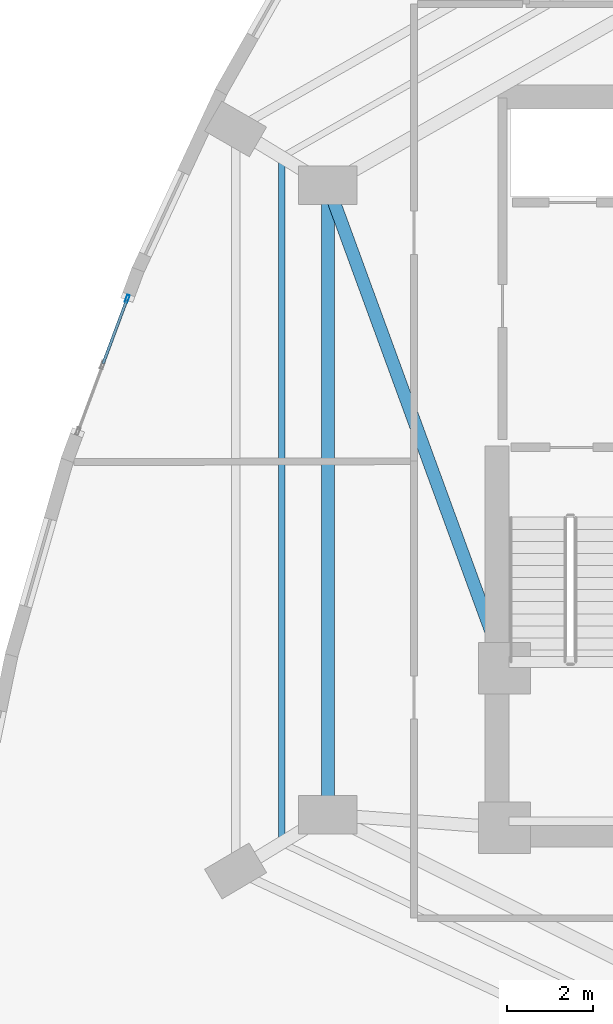
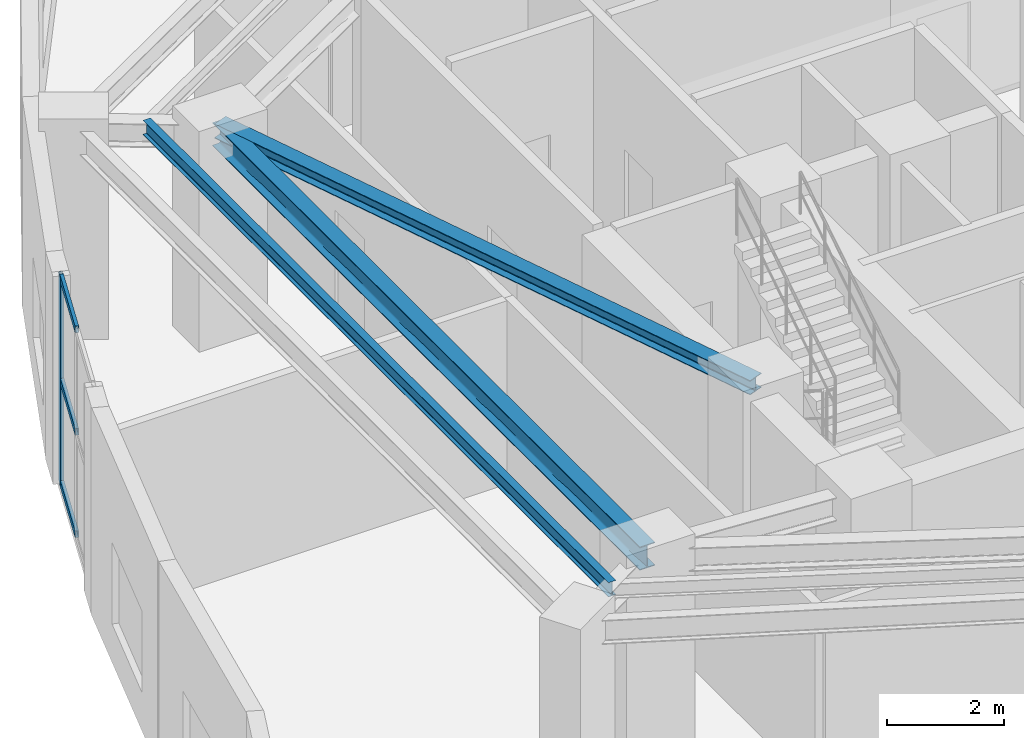
# One storey, part 7 of 17: 4 members, 3 beams, 1 element without a shape of its own.
"""IFC4 building model written with IfcOpenShell, lengths in metres."""

import ifcopenshell
import ifcopenshell.guid

model = None  # the IFC model being written
_history = None  # IfcOwnerHistory: only IFC2X3 demands one
_inside = {}  # id of a spatial element -> (the spatial element, [elements in it])
_under = {}  # id of a project, library or spatial element -> (it, [spatial elements below it])
_declared = {}  # id of a project -> (the project, [libraries it declares])
_typed = {}  # id of a type object -> (the type object, [elements of that type])
_made_of = {}  # id of a material, layer set ... -> (it, [elements and type objects made of it])


def new_model(schema):
    """Start an empty IFC model of exactly this schema.

    Asked for "IFC4X3", IfcOpenShell would pick the latest addendum, in which some entities
    have other attributes; the version numbers below select the first issue.
    IFC2X3 requires an IfcOwnerHistory on every rooted entity: one is made here for all.
    """
    global model, _history
    if schema == "IFC4X3":
        model = ifcopenshell.file(schema_version=(4, 3, 0, 0))
    else:
        model = ifcopenshell.file(schema=schema)
    _inside.clear()
    _under.clear()
    _declared.clear()
    _typed.clear()
    _made_of.clear()
    _history = None
    if model.schema == "IFC2X3":
        org = make("IfcOrganization", Name="unknown")
        user = make(
            "IfcPersonAndOrganization",
            ThePerson=make("IfcPerson", FamilyName="unknown"),
            TheOrganization=org,
        )
        app = make(
            "IfcApplication",
            ApplicationDeveloper=org,
            Version="unknown",
            ApplicationFullName="unknown",
            ApplicationIdentifier="unknown",
        )
        _history = make(
            "IfcOwnerHistory",
            OwningUser=user,
            OwningApplication=app,
            ChangeAction="ADDED",
            CreationDate=0,
        )
    return model


def make(cls, **values):
    """One entity of the class cls with the attributes given. An attribute that is None is left unset."""
    return model.create_entity(
        cls, **{name: value for name, value in values.items() if value is not None}
    )


def rooted(cls, **values):
    """An entity with a GlobalId (a new one), such as an element, a storey or a relation."""
    return make(cls, GlobalId=ifcopenshell.guid.new(), OwnerHistory=_history, **values)


def si_unit(unit_type, name, prefix=None):
    """IfcSIUnit, for example si_unit("LENGTHUNIT", "METRE", prefix="MILLI")."""
    return make("IfcSIUnit", UnitType=unit_type, Prefix=prefix, Name=name)


def assignment(units):
    """IfcUnitAssignment: the units of a project."""
    return None if units is None else make("IfcUnitAssignment", Units=units)


def point(xyz):
    """IfcCartesianPoint."""
    return None if xyz is None else make("IfcCartesianPoint", Coordinates=xyz)


def direction(xyz):
    """IfcDirection."""
    return None if xyz is None else make("IfcDirection", DirectionRatios=xyz)


def frame(location, z_axis=None, x_axis=None):
    """IfcAxis2Placement3D, a coordinate frame: its origin and axes. An axis left out is left unset."""
    return make(
        "IfcAxis2Placement3D",
        Location=point(location),
        Axis=direction(z_axis),
        RefDirection=direction(x_axis),
    )


def frame_2d(location, x_axis=None):
    """IfcAxis2Placement2D, a coordinate frame in the plane: its origin and x axis."""
    return make(
        "IfcAxis2Placement2D", Location=point(location), RefDirection=direction(x_axis)
    )


def origin():
    """The frame at (0, 0, 0) with its axes left unset."""
    return frame((0.0, 0.0, 0.0))


def origin_2d():
    """The frame at (0, 0) in the plane with its x axis left unset."""
    return frame_2d((0.0, 0.0))


def place(relative_to, where):
    """IfcLocalPlacement: puts the frame where relative to a parent placement (None: the world)."""
    return make(
        "IfcLocalPlacement", PlacementRelTo=relative_to, RelativePlacement=where
    )


def context(
    kind, dimensions, precision=None, world=None, true_north=None, identifier=None
):
    """IfcGeometricRepresentationContext, for example the 3D "Model" context."""
    return make(
        "IfcGeometricRepresentationContext",
        ContextIdentifier=identifier,
        ContextType=kind,
        CoordinateSpaceDimension=dimensions,
        Precision=precision,
        WorldCoordinateSystem=world,
        TrueNorth=true_north,
    )


def subcontext(parent, identifier, kind, view, scale=None):
    """IfcGeometricRepresentationSubContext, for example "Body" below "Model"."""
    return make(
        "IfcGeometricRepresentationSubContext",
        ContextIdentifier=identifier,
        ContextType=kind,
        ParentContext=parent,
        TargetScale=scale,
        TargetView=view,
    )


def project(units=None, contexts=None):
    """IfcProject with its units and contexts."""
    return rooted(
        "IfcProject",
        Name="project",
        RepresentationContexts=contexts,
        UnitsInContext=assignment(units),
    )


def spatial(cls, under=None, at=None, **own):
    """A site, building, storey or space (cls), placed at a placement, below another one or the project."""
    s = rooted(cls, ObjectPlacement=at, **own)
    if under is not None:
        _under.setdefault(under.id(), (under, []))[1].append(s)
    return s


def profile(cls, at=None, kind="AREA", **sizes):
    """A parametric profile (cls). Its sizes go by their IFC names, for example OverallWidth=200.0."""
    return make(cls, ProfileType=kind, Position=at, **sizes)


def hollow_rectangle(**sizes):
    """IfcRectangleHollowProfileDef."""
    return profile("IfcRectangleHollowProfileDef", **sizes)


def i_section(**sizes):
    """IfcIShapeProfileDef."""
    return profile("IfcIShapeProfileDef", **sizes)


def extrude(swept, where, along, depth):
    """IfcExtrudedAreaSolid: the profile swept, set in the frame where, extruded along a direction by depth."""
    return make(
        "IfcExtrudedAreaSolid",
        SweptArea=swept,
        Position=where,
        ExtrudedDirection=direction(along),
        Depth=depth,
    )


def shape(context_of_items, identifier, shape_type, items):
    """IfcShapeRepresentation: the items that make up one representation, for example the "Body"."""
    return make(
        "IfcShapeRepresentation",
        ContextOfItems=context_of_items,
        RepresentationIdentifier=identifier,
        RepresentationType=shape_type,
        Items=items,
    )


def material(Name=None, Category=None):
    """IfcMaterial."""
    return make("IfcMaterial", Name=Name, Category=Category)


def layer(
    of_material, thickness, ventilated=None, Name=None, Category=None, Priority=None
):
    """IfcMaterialLayer: one layer of a wall or slab, of a material (None: an air gap)."""
    return make(
        "IfcMaterialLayer",
        Material=of_material,
        LayerThickness=thickness,
        IsVentilated=ventilated,
        Name=Name,
        Category=Category,
        Priority=Priority,
    )


def layer_set(layers, Name=None):
    """IfcMaterialLayerSet."""
    return make("IfcMaterialLayerSet", MaterialLayers=layers, LayerSetName=Name)


def material_profile(
    of_material, cross_section, Name=None, Category=None, Priority=None
):
    """IfcMaterialProfile: a cross section and its material."""
    return make(
        "IfcMaterialProfile",
        Name=Name,
        Material=of_material,
        Profile=cross_section,
        Priority=Priority,
        Category=Category,
    )


def profile_set(profiles, Name=None, composite=None):
    """IfcMaterialProfileSet."""
    return make(
        "IfcMaterialProfileSet",
        Name=Name,
        MaterialProfiles=profiles,
        CompositeProfile=composite,
    )


def made_of(thing, what):
    """Note that an element or type object is made of a material, layer set ...; save() writes the relation."""
    if what is not None:
        _made_of.setdefault(what.id(), (what, []))[1].append(thing)
    return thing


def type_object(cls, material=None, **own):
    """A type object (cls), such as IfcWallType, which elements share."""
    return made_of(rooted(cls, **own), material)


def element(
    cls,
    number,
    at=None,
    inside=None,
    cuts=None,
    type_object=None,
    material=None,
    context=None,
    identifier="Body",
    shape_type=None,
    held_by="IfcProductDefinitionShape",
    body=None,
    shapes=None,
    **own,
):
    """One element of the class cls, such as IfcWall. Its Tag is "e" and its number.

    at: its placement. inside: the storey or other place that contains it. cuts: it is an
    opening in that element (IfcRelVoidsElement). A single representation is given by context,
    identifier, shape_type and body (its items); several are given by shapes. held_by: the class
    of the entity that holds the representations. save() writes the other relations.
    """
    e = rooted(cls, Tag="e%d" % number, ObjectPlacement=at, **own)
    if body is not None:
        shapes = [shape(context, identifier, shape_type, body)]
    if shapes is not None:
        e.Representation = make(held_by, Representations=shapes)
    if inside is not None:
        _inside.setdefault(inside.id(), (inside, []))[1].append(e)
    if cuts is not None:
        rooted(
            "IfcRelVoidsElement", RelatingBuildingElement=cuts, RelatedOpeningElement=e
        )
    if type_object is not None:
        _typed.setdefault(type_object.id(), (type_object, []))[1].append(e)
    return made_of(e, material)


def aggregate(whole, parts):
    """IfcRelAggregates: a whole, such as a stair, and the parts it consists of."""
    return rooted("IfcRelAggregates", RelatingObject=whole, RelatedObjects=parts)


def save(model, path):
    """Write the relations noted so far, then the file.

    IfcRelAggregates (storeys below a building ...), IfcRelContainedInSpatialStructure (elements
    in a storey), IfcRelDefinesByType, IfcRelAssociatesMaterial and IfcRelDeclares: one each for
    every whole, place, type object, material and project.
    """
    for whole, parts in _under.values():
        aggregate(whole, parts)
    for where, things in _inside.values():
        rooted(
            "IfcRelContainedInSpatialStructure",
            RelatedElements=things,
            RelatingStructure=where,
        )
    for kind, things in _typed.values():
        rooted("IfcRelDefinesByType", RelatedObjects=things, RelatingType=kind)
    for what, things in _made_of.values():
        rooted("IfcRelAssociatesMaterial", RelatedObjects=things, RelatingMaterial=what)
    for by, libraries in _declared.values():
        rooted("IfcRelDeclares", RelatingContext=by, RelatedDefinitions=libraries)
    model.write(path)


model = new_model("IFC4")

# Units and contexts
model_context = context("Model", 3, precision=1e-05, world=origin(), true_north=direction((0.0, 1.0)))
body_context = subcontext(model_context, "Body", "Model", "MODEL_VIEW")
ifc_project = project(units=[si_unit("LENGTHUNIT", "METRE"), si_unit("AREAUNIT", "SQUARE_METRE"), si_unit("VOLUMEUNIT", "CUBIC_METRE"), si_unit("PLANEANGLEUNIT", "RADIAN"), si_unit("MASSUNIT", "GRAM", prefix="KILO")], contexts=[model_context])

# Site, building, storey
site_placement = place(None, origin())
site = spatial("IfcSite", under=ifc_project, at=site_placement, CompositionType="ELEMENT")
building_placement = place(site_placement, origin())
building = spatial("IfcBuilding", under=site, at=building_placement, Name="Miruveldt Soraemaru", CompositionType="ELEMENT")
storey_placement = place(building_placement, frame((0.0, 0.0, 95.800048828125)))
storey = spatial("IfcBuildingStorey", under=building, at=storey_placement, Name="L26", CompositionType="ELEMENT", Elevation=95.800048828125)

# Beams
ifc_material_1 = material(Name="Steel SM355 (355 MPa)", Category="steel")
ifc_material_profile_1 = material_profile(ifc_material_1, i_section(OverallWidth=0.300048828125, OverallDepth=0.300048828125, WebThickness=0.010009765625, FlangeThickness=0.014892578125, FilletRadius=0.01806640625, at=origin_2d()), Name="Steel SM355 (355 MPa)", Category="steel")
ifc_profile_set_1 = profile_set([ifc_material_profile_1], Name="Steel SM355 (355 MPa)")
beam_type_1 = type_object("IfcBeamType", Name="BM-LNT-H300", PredefinedType="LINTEL", material=ifc_profile_set_1)
beam_1_placement = place(storey_placement, frame((31.39990234375, 50.39990234375, 4.18505859375), z_axis=(0.343770424598, -0.939053723262, 0.0), x_axis=(0.939053723262, 0.343770424598, 0.0)))
element("IfcBeam", 1, at=beam_1_placement, inside=storey, type_object=beam_type_1, Name="L26 West Lobby Lintel", PredefinedType="LINTEL", context=body_context, shape_type="SweptSolid", body=[
    extrude(i_section(OverallWidth=0.300048828125, OverallDepth=0.300048828125, WebThickness=0.010009765625, FlangeThickness=0.014892578125, FilletRadius=0.01806640625, at=origin_2d()), origin(), (0.0, 0.0, 1.0), 11.9267578125),
])
ifc_material_profile_2 = material_profile(ifc_material_1, i_section(OverallWidth=0.14990234375, OverallDepth=0.300048828125, WebThickness=0.006591796875, FlangeThickness=0.009033203125, FilletRadius=0.012939453125, at=origin_2d()), Name="Steel SM355 (355 MPa)", Category="steel")
ifc_profile_set_2 = profile_set([ifc_material_profile_2], Name="Steel SM355 (355 MPa)")
beam_type_2 = type_object("IfcBeamType", Name="BM-ST-H300", PredefinedType="JOIST", material=ifc_profile_set_2)
beam_2_placement = place(storey_placement, frame((30.330078125, 35.1474609375, 4.18505859375), z_axis=(0.0, 1.0, 0.0), x_axis=(-1.0, 0.0, 0.0)))
element("IfcBeam", 2, at=beam_2_placement, inside=storey, type_object=beam_type_2, Name="L26 Outer Bay Floor Joist 5", PredefinedType="JOIST", context=body_context, shape_type="SweptSolid", body=[
    extrude(i_section(OverallWidth=0.14990234375, OverallDepth=0.300048828125, WebThickness=0.006591796875, FlangeThickness=0.009033203125, FilletRadius=0.012939453125, at=origin_2d()), origin(), (0.0, 0.0, 1.0), 15.905029296875),
])
ifc_material_profile_3 = material_profile(ifc_material_1, i_section(OverallWidth=0.300048828125, OverallDepth=0.488037109375, WebThickness=0.010986328125, FlangeThickness=0.01806640625, FilletRadius=0.02587890625, at=origin_2d()), Name="Steel SM355 (355 MPa)", Category="steel")
ifc_profile_set_3 = profile_set([ifc_material_profile_3], Name="Steel SM355 (355 MPa)")
beam_type_3 = type_object("IfcBeamType", Name="BM-ST-H488", PredefinedType="BEAM", material=ifc_profile_set_3)
beam_3_placement = place(storey_placement, frame((31.39990234375, 35.800048828125, 4.091064453125), z_axis=(0.0, 1.0, 0.0), x_axis=(-1.0, 0.0, 0.0)))
element("IfcBeam", 3, at=beam_3_placement, inside=storey, type_object=beam_type_3, Name="L26 Inner Ring Girder 5", PredefinedType="BEAM", context=body_context, shape_type="SweptSolid", body=[
    extrude(i_section(OverallWidth=0.300048828125, OverallDepth=0.488037109375, WebThickness=0.010986328125, FlangeThickness=0.01806640625, FilletRadius=0.02587890625, at=origin_2d()), origin(), (0.0, 0.0, 1.0), 14.599853515625),
])

# Curtain wall, members
ifc_material_2 = material(Name="Anodised aluminium EN AW-6063 T6", Category="aluminium")
ifc_layer = layer(ifc_material_2, 0.179931640625, Name="Anodised aluminium EN AW-6063 T6", Category="aluminium")
ifc_layer_set = layer_set([ifc_layer], Name="Anodised aluminium EN AW-6063 T6")
curtain_wall_type = type_object("IfcCurtainWallType", Name="CW-SYS-4", PredefinedType="USERDEFINED", material=ifc_layer_set)
curtain_wall_placement = place(storey_placement, origin())
curtain_wall = element("IfcCurtainWall", 4, at=curtain_wall_placement, inside=storey, type_object=curtain_wall_type, Name="L26 Curtain Wall Bay 12", ObjectType="UNITISED GLAZING", PredefinedType="USERDEFINED")
ifc_material_profile_4 = material_profile(ifc_material_2, hollow_rectangle(XDim=0.06494140625, YDim=0.179931640625, WallThickness=0.00390625, at=origin_2d()), Name="Anodised aluminium EN AW-6063 T6", Category="aluminium")
ifc_profile_set_4 = profile_set([ifc_material_profile_4], Name="Anodised aluminium EN AW-6063 T6")
member_type_1 = type_object("IfcMemberType", Name="CWM-4", PredefinedType="MULLION", material=ifc_profile_set_4)
member_1_placement = place(storey_placement, frame((26.748291015625, 47.77001953125, 0.0), z_axis=(0.0, 0.0, 1.0), x_axis=(0.937118512381, -0.349011308919, 0.0)))
member_1 = element("IfcMember", 5, at=member_1_placement, type_object=member_type_1, Name="CW-4 mullion 1", PredefinedType="MULLION", context=body_context, shape_type="SweptSolid", body=[
    extrude(hollow_rectangle(XDim=0.06494140625, YDim=0.179931640625, WallThickness=0.00390625, at=origin_2d()), origin(), (0.0, 0.0, 1.0), 4.3349609375),
])
ifc_material_profile_5 = material_profile(ifc_material_2, hollow_rectangle(XDim=0.06494140625, YDim=0.139892578125, WallThickness=0.00390625, at=origin_2d()), Name="Anodised aluminium EN AW-6063 T6", Category="aluminium")
ifc_profile_set_5 = profile_set([ifc_material_profile_5], Name="Anodised aluminium EN AW-6063 T6")
member_type_2 = type_object("IfcMemberType", Name="CWT-4", PredefinedType="USERDEFINED", material=ifc_profile_set_5)
member_2_placement = place(storey_placement, frame((26.737060546875, 47.739501953125, 0.032470703125), z_axis=(-0.349069025269, -0.937097015041, 0.0), x_axis=(0.937097015041, -0.349069025269, 0.0)))
member_2 = element("IfcMember", 6, at=member_2_placement, type_object=member_type_2, Name="CW-4 transom 1.1", ObjectType="TRANSOM", PredefinedType="USERDEFINED", context=body_context, shape_type="SweptSolid", body=[
    extrude(hollow_rectangle(XDim=0.06494140625, YDim=0.139892578125, WallThickness=0.00390625, at=origin_2d()), origin(), (0.0, 0.0, 1.0), 1.576416015625),
])
member_3_placement = place(storey_placement, frame((26.737060546875, 47.739501953125, 2.16748046875), z_axis=(-0.349069025269, -0.937097015041, 0.0), x_axis=(0.937097015041, -0.349069025269, 0.0)))
member_3 = element("IfcMember", 7, at=member_3_placement, type_object=member_type_2, Name="CW-4 transom 1.2", ObjectType="TRANSOM", PredefinedType="USERDEFINED", context=body_context, shape_type="SweptSolid", body=[
    extrude(hollow_rectangle(XDim=0.06494140625, YDim=0.139892578125, WallThickness=0.00390625, at=origin_2d()), origin(), (0.0, 0.0, 1.0), 1.576416015625),
])
member_4_placement = place(storey_placement, frame((26.737060546875, 47.739501953125, 4.302490234375), z_axis=(-0.349069025269, -0.937097015041, 0.0), x_axis=(0.937097015041, -0.349069025269, 0.0)))
member_4 = element("IfcMember", 8, at=member_4_placement, type_object=member_type_2, Name="CW-4 transom 1.3", ObjectType="TRANSOM", PredefinedType="USERDEFINED", context=body_context, shape_type="SweptSolid", body=[
    extrude(hollow_rectangle(XDim=0.06494140625, YDim=0.139892578125, WallThickness=0.00390625, at=origin_2d()), origin(), (0.0, 0.0, 1.0), 1.576416015625),
])
aggregate(curtain_wall, [member_1, member_2, member_3, member_4])

save(model, "model.ifc")
